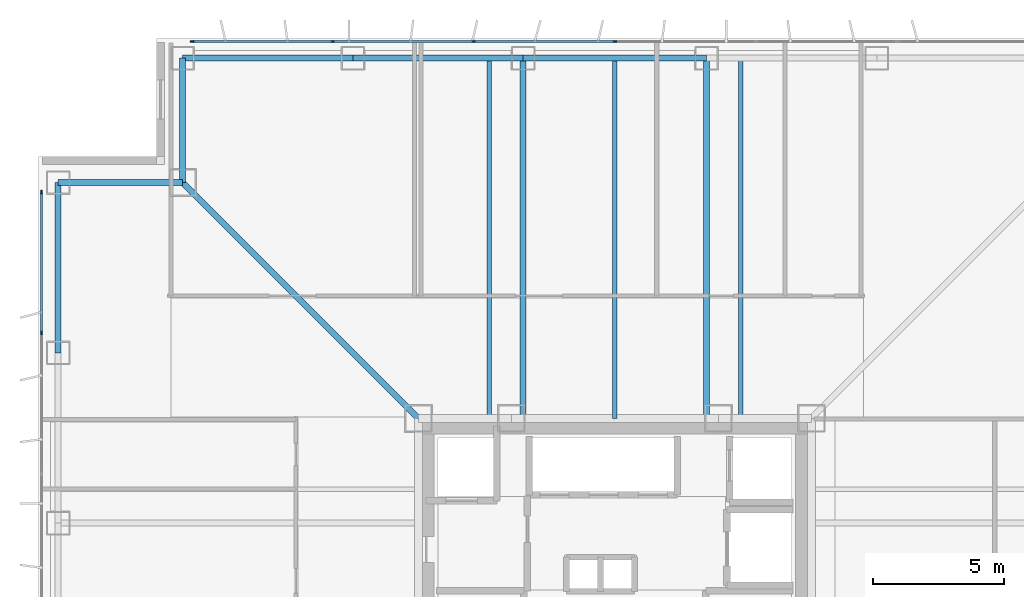
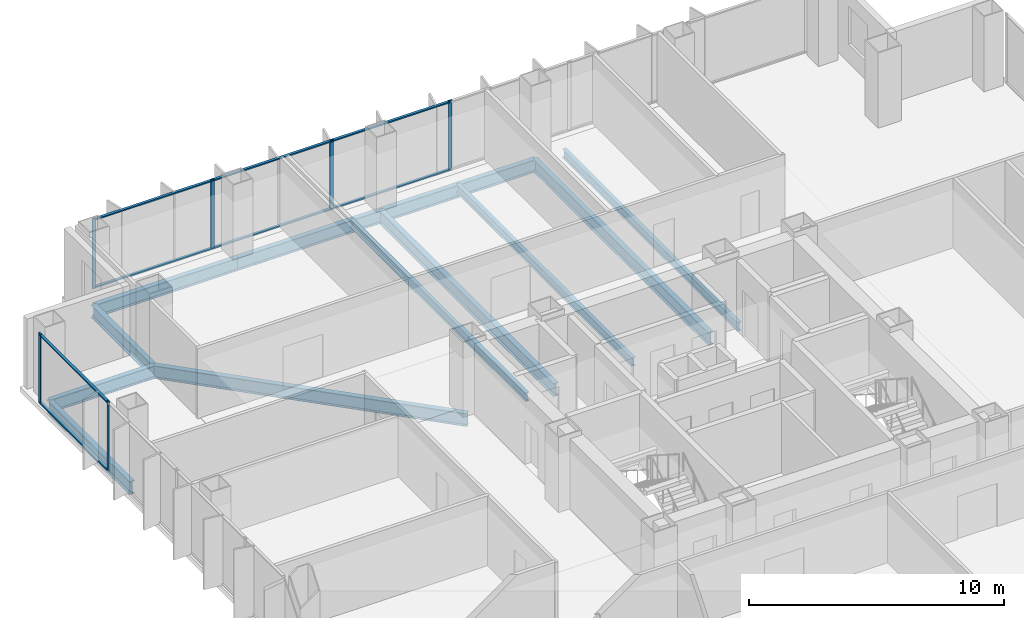
# One storey, part 7 of 14: 14 members, 12 beams, 2 elements without a shape of their own.
"""IFC4 building model written with IfcOpenShell, lengths in metres."""

from ifc_helpers import new_model, si_unit, direction, frame, origin, origin_2d, place, context, subcontext, project, spatial, rectangle, i_section, extrude, material, layer, layer_set, material_profile, profile_set, type_object, element, aggregate, save


model = new_model("IFC4")

# Units and contexts
model_context = context("Model", 3, precision=1e-05, world=origin(), true_north=direction((0.0, 1.0)))
body_context = subcontext(model_context, "Body", "Model", "MODEL_VIEW")
ifc_project = project(units=[si_unit("LENGTHUNIT", "METRE"), si_unit("AREAUNIT", "SQUARE_METRE"), si_unit("VOLUMEUNIT", "CUBIC_METRE"), si_unit("PLANEANGLEUNIT", "RADIAN"), si_unit("MASSUNIT", "GRAM", prefix="KILO")], contexts=[model_context])

# Site, building, storey
site_placement = place(None, origin())
site = spatial("IfcSite", under=ifc_project, at=site_placement, CompositionType="ELEMENT")
building_placement = place(site_placement, origin())
building = spatial("IfcBuilding", under=site, at=building_placement, Name="Trevonay Congress Spire", CompositionType="ELEMENT")
storey_placement = place(building_placement, frame((0.0, 0.0, 137.199951171875)))
storey = spatial("IfcBuildingStorey", under=building, at=storey_placement, Name="L35", CompositionType="ELEMENT", Elevation=137.199951171875)

# Beams
ifc_material_1 = material(Name="Steel ASTM A572 Grade 50", Category="steel")
ifc_material_profile_1 = material_profile(ifc_material_1, i_section(OverallWidth=0.22998046875, OverallDepth=0.616943359375, WebThickness=0.01318359375, FlangeThickness=0.022216796875, FilletRadius=0.01611328125, at=origin_2d()), Name="W610x140")
ifc_profile_set_1 = profile_set([ifc_material_profile_1], Name="Steel ASTM A572 Grade 50")
beam_type_1 = type_object("IfcBeamType", Name="BM-GIRD-W610X140", PredefinedType="BEAM", material=ifc_profile_set_1)
beam_1_placement = place(storey_placement, frame((-7.5, 7.5, -0.54833984375), z_axis=(-0.707106781187, 0.707106781187, 0.0), x_axis=(-0.707106781187, -0.707106781187, 0.0)))
element("IfcBeam", 1, at=beam_1_placement, inside=storey, type_object=beam_type_1, Name="L35 structural beam BM-L35-CDNW", PredefinedType="BEAM", context=body_context, shape_type="SweptSolid", body=[
    extrude(i_section(OverallWidth=0.22998046875, OverallDepth=0.616943359375, WebThickness=0.01318359375, FlangeThickness=0.022216796875, FilletRadius=0.01611328125, at=origin_2d()), origin(), (0.0, 0.0, 1.0), 12.72802734375),
])
for number, where, z_axis, x_axis, name in (
    (2, (-3.5, 7.5, -0.54833984375), (0.0, 1.0, 0.0), (-1.0, 0.0, 0.0), "L35 structural beam BM-L35-GN-M"),
    (3, (3.5, 7.5, -0.54833984375), (0.0, 1.0, 0.0), (-1.0, 0.0, 0.0), "L35 structural beam BM-L35-GN-P"),
):
    element("IfcBeam", number, at=place(storey_placement, frame(where, z_axis=z_axis, x_axis=x_axis)), inside=storey, type_object=beam_type_1, Name=name, PredefinedType="BEAM", context=body_context, shape_type="SweptSolid", body=[
        extrude(i_section(OverallWidth=0.22998046875, OverallDepth=0.616943359375, WebThickness=0.01318359375, FlangeThickness=0.022216796875, FilletRadius=0.01611328125, at=origin_2d()), origin(), (0.0, 0.0, 1.0), 13.75),
    ])
ifc_material_profile_2 = material_profile(ifc_material_1, i_section(OverallWidth=0.22802734375, OverallDepth=0.60791015625, WebThickness=0.01123046875, FlangeThickness=0.017333984375, FilletRadius=0.01611328125, at=origin_2d()), Name="W610x113")
ifc_profile_set_2 = profile_set([ifc_material_profile_2], Name="Steel ASTM A572 Grade 50")
beam_type_2 = type_object("IfcBeamType", Name="BM-RING-W610X113", PredefinedType="BEAM", material=ifc_profile_set_2)
for number, where, z_axis, x_axis, name in (
    (4, (-16.5, 21.25, -0.5439453125), (1.0, 0.0, 0.0), (0.0, 1.0, 0.0), "L35 structural beam BM-L35-PN1"),
    (5, (-10.0, 21.25, -0.5439453125), (1.0, 0.0, 0.0), (0.0, 1.0, 0.0), "L35 structural beam BM-L35-PN2"),
):
    element("IfcBeam", number, at=place(storey_placement, frame(where, z_axis=z_axis, x_axis=x_axis)), inside=storey, type_object=beam_type_2, Name=name, PredefinedType="BEAM", context=body_context, shape_type="SweptSolid", body=[
        extrude(i_section(OverallWidth=0.22802734375, OverallDepth=0.60791015625, WebThickness=0.01123046875, FlangeThickness=0.017333984375, FilletRadius=0.01611328125, at=origin_2d()), origin(), (0.0, 0.0, 1.0), 6.5),
    ])
beam_2_placement = place(storey_placement, frame((-3.5, 21.25, -0.5439453125), z_axis=(1.0, 0.0, 0.0), x_axis=(0.0, 1.0, 0.0)))
element("IfcBeam", 6, at=beam_2_placement, inside=storey, type_object=beam_type_2, Name="L35 structural beam BM-L35-PN3", PredefinedType="BEAM", context=body_context, shape_type="SweptSolid", body=[
    extrude(i_section(OverallWidth=0.22802734375, OverallDepth=0.60791015625, WebThickness=0.01123046875, FlangeThickness=0.017333984375, FilletRadius=0.01611328125, at=origin_2d()), origin(), (0.0, 0.0, 1.0), 7.0),
])
beam_3_placement = place(storey_placement, frame((-21.25, 10.0, -0.5439453125), z_axis=(0.0, 1.0, 0.0), x_axis=(-1.0, 0.0, 0.0)))
element("IfcBeam", 7, at=beam_3_placement, inside=storey, type_object=beam_type_2, Name="L35 structural beam BM-L35-PW5", PredefinedType="BEAM", context=body_context, shape_type="SweptSolid", body=[
    extrude(i_section(OverallWidth=0.22802734375, OverallDepth=0.60791015625, WebThickness=0.01123046875, FlangeThickness=0.017333984375, FilletRadius=0.01611328125, at=origin_2d()), origin(), (0.0, 0.0, 1.0), 6.5),
])
for number, where, z_axis, x_axis, name in (
    (8, (-16.5, 21.25, -0.5439453125), (0.0, -1.0, 0.0), (1.0, 0.0, 0.0), "L35 structural beam BM-L35-N1NW"),
    (9, (-21.25, 16.5, -0.5439453125), (1.0, 0.0, 0.0), (0.0, 1.0, 0.0), "L35 structural beam BM-L35-N2NW"),
):
    element("IfcBeam", number, at=place(storey_placement, frame(where, z_axis=z_axis, x_axis=x_axis)), inside=storey, type_object=beam_type_2, Name=name, PredefinedType="BEAM", context=body_context, shape_type="SweptSolid", body=[
        extrude(i_section(OverallWidth=0.22802734375, OverallDepth=0.60791015625, WebThickness=0.01123046875, FlangeThickness=0.017333984375, FilletRadius=0.01611328125, at=origin_2d()), origin(), (0.0, 0.0, 1.0), 4.75),
    ])

# Curtain wall, members
ifc_material_2 = material(Name="Pale Anodised Aluminium EN AW-6063-T6", Category="aluminium")
ifc_layer = layer(ifc_material_2, 0.175048828125, Name="Pale Anodised Aluminium EN AW-6063-T6")
ifc_layer_set = layer_set([ifc_layer], Name="Pale Anodised Aluminium EN AW-6063-T6")
curtain_wall_type = type_object("IfcCurtainWallType", Name="CW-SYS03-CONGRESS-PALE-METAL", PredefinedType="NOTDEFINED", material=ifc_layer_set)
curtain_wall_1_placement = place(storey_placement, origin())
curtain_wall_1 = element("IfcCurtainWall", 10, at=curtain_wall_1_placement, inside=storey, type_object=curtain_wall_type, Name="L35 N unitised curtain wall", PredefinedType="NOTDEFINED")
ifc_material_profile_3 = material_profile(ifc_material_2, rectangle(XDim=0.06005859375, YDim=0.159912109375, at=origin_2d()), Name="CW-MULLION-160-ALUMINIUM")
ifc_profile_set_3 = profile_set([ifc_material_profile_3], Name="Pale Anodised Aluminium EN AW-6063-T6")
member_type_1 = type_object("IfcMemberType", Name="CW-MULLION-160-ALUMINIUM", PredefinedType="MULLION", material=ifc_profile_set_3)
member_1_placement = place(storey_placement, frame((-16.1201171875, 21.8798828125, 0.0), z_axis=(0.0, 0.0, 1.0), x_axis=(0.0, 1.0, 0.0)))
member_1 = element("IfcMember", 11, at=member_1_placement, type_object=member_type_1, Name="CW03 mullion 1", PredefinedType="MULLION", context=body_context, shape_type="SweptSolid", body=[
    extrude(rectangle(XDim=0.06005859375, YDim=0.159912109375, at=origin_2d()), origin(), (0.0, 0.0, 1.0), 3.360107421875),
])
member_2_placement = place(storey_placement, frame((-10.7666015625, 21.8798828125, 0.0), z_axis=(0.0, 0.0, 1.0), x_axis=(0.0, 1.0, 0.0)))
member_2 = element("IfcMember", 12, at=member_2_placement, type_object=member_type_1, Name="CW03 mullion 2", PredefinedType="MULLION", context=body_context, shape_type="SweptSolid", body=[
    extrude(rectangle(XDim=0.06005859375, YDim=0.159912109375, at=origin_2d()), origin(), (0.0, 0.0, 1.0), 3.360107421875),
])
member_3_placement = place(storey_placement, frame((-5.38330078125, 21.8798828125, 0.0), z_axis=(0.0, 0.0, 1.0), x_axis=(0.0, 1.0, 0.0)))
member_3 = element("IfcMember", 13, at=member_3_placement, type_object=member_type_1, Name="CW03 mullion 3", PredefinedType="MULLION", context=body_context, shape_type="SweptSolid", body=[
    extrude(rectangle(XDim=0.06005859375, YDim=0.159912109375, at=origin_2d()), origin(), (0.0, 0.0, 1.0), 3.360107421875),
])
member_4_placement = place(storey_placement, frame((0.0, 21.8798828125, 0.0), z_axis=(0.0, 0.0, 1.0), x_axis=(0.0, 1.0, 0.0)))
member_4 = element("IfcMember", 14, at=member_4_placement, type_object=member_type_1, Name="CW03 mullion 4", PredefinedType="MULLION", context=body_context, shape_type="SweptSolid", body=[
    extrude(rectangle(XDim=0.06005859375, YDim=0.159912109375, at=origin_2d()), origin(), (0.0, 0.0, 1.0), 3.360107421875),
])

curtain_wall_2_placement = place(storey_placement, origin())
curtain_wall_2 = element("IfcCurtainWall", 15, at=curtain_wall_2_placement, inside=storey, type_object=curtain_wall_type, Name="L35 W unitised curtain wall", PredefinedType="NOTDEFINED")
member_5_placement = place(storey_placement, frame((-21.8798828125, 10.7666015625, 0.0), z_axis=(0.0, 0.0, 1.0), x_axis=(-1.0, 0.0, 0.0)))
member_5 = element("IfcMember", 16, at=member_5_placement, type_object=member_type_1, Name="CW03 mullion 6", PredefinedType="MULLION", context=body_context, shape_type="SweptSolid", body=[
    extrude(rectangle(XDim=0.06005859375, YDim=0.159912109375, at=origin_2d()), origin(), (0.0, 0.0, 1.0), 3.360107421875),
])
member_6_placement = place(storey_placement, frame((-21.8798828125, 16.1201171875, 0.0), z_axis=(0.0, 0.0, 1.0), x_axis=(-1.0, 0.0, 0.0)))
member_6 = element("IfcMember", 17, at=member_6_placement, type_object=member_type_1, Name="CW03 mullion 7", PredefinedType="MULLION", context=body_context, shape_type="SweptSolid", body=[
    extrude(rectangle(XDim=0.06005859375, YDim=0.159912109375, at=origin_2d()), origin(), (0.0, 0.0, 1.0), 3.360107421875),
])

# Member
ifc_material_profile_4 = material_profile(ifc_material_2, rectangle(XDim=0.1201171875, YDim=0.06005859375, at=origin_2d()), Name="CW-TRANSOM-120-ALUMINIUM")
ifc_profile_set_4 = profile_set([ifc_material_profile_4], Name="Pale Anodised Aluminium EN AW-6063-T6")
member_type_2 = type_object("IfcMemberType", Name="CW-TRANSOM-120-ALUMINIUM", PredefinedType="USERDEFINED", material=ifc_profile_set_4)
member_7_placement = place(storey_placement, frame((-16.090087890625, 21.8798828125, 0.06005859375), z_axis=(1.0, 0.0, 0.0), x_axis=(0.0, 1.0, 0.0)))
member_7 = element("IfcMember", 18, at=member_7_placement, type_object=member_type_2, Name="CW03 transom 1.1", ObjectType="TRANSOM", PredefinedType="USERDEFINED", context=body_context, shape_type="SweptSolid", body=[
    extrude(rectangle(XDim=0.1201171875, YDim=0.06005859375, at=origin_2d()), origin(), (0.0, 0.0, 1.0), 5.29345703125),
])

member_8_placement = place(storey_placement, frame((-16.090087890625, 21.8798828125, 3.300048828125), z_axis=(1.0, 0.0, 0.0), x_axis=(0.0, 1.0, 0.0)))
member_8 = element("IfcMember", 19, at=member_8_placement, type_object=member_type_2, Name="CW03 transom 1.2", ObjectType="TRANSOM", PredefinedType="USERDEFINED", context=body_context, shape_type="SweptSolid", body=[
    extrude(rectangle(XDim=0.1201171875, YDim=0.06005859375, at=origin_2d()), origin(), (0.0, 0.0, 1.0), 5.29345703125),
])

member_9_placement = place(storey_placement, frame((-10.736572265625, 21.8798828125, 0.06005859375), z_axis=(1.0, 0.0, 0.0), x_axis=(0.0, 1.0, 0.0)))
member_9 = element("IfcMember", 20, at=member_9_placement, type_object=member_type_2, Name="CW03 transom 2.1", ObjectType="TRANSOM", PredefinedType="USERDEFINED", context=body_context, shape_type="SweptSolid", body=[
    extrude(rectangle(XDim=0.1201171875, YDim=0.06005859375, at=origin_2d()), origin(), (0.0, 0.0, 1.0), 5.3232421875),
])

member_10_placement = place(storey_placement, frame((-10.736572265625, 21.8798828125, 3.300048828125), z_axis=(1.0, 0.0, 0.0), x_axis=(0.0, 1.0, 0.0)))
member_10 = element("IfcMember", 21, at=member_10_placement, type_object=member_type_2, Name="CW03 transom 2.2", ObjectType="TRANSOM", PredefinedType="USERDEFINED", context=body_context, shape_type="SweptSolid", body=[
    extrude(rectangle(XDim=0.1201171875, YDim=0.06005859375, at=origin_2d()), origin(), (0.0, 0.0, 1.0), 5.3232421875),
])

member_11_placement = place(storey_placement, frame((-5.353271484375, 21.8798828125, 0.06005859375), z_axis=(1.0, 0.0, 0.0), x_axis=(0.0, 1.0, 0.0)))
member_11 = element("IfcMember", 22, at=member_11_placement, type_object=member_type_2, Name="CW03 transom 3.1", ObjectType="TRANSOM", PredefinedType="USERDEFINED", context=body_context, shape_type="SweptSolid", body=[
    extrude(rectangle(XDim=0.1201171875, YDim=0.06005859375, at=origin_2d()), origin(), (0.0, 0.0, 1.0), 5.3232421875),
])

member_12_placement = place(storey_placement, frame((-5.353271484375, 21.8798828125, 3.300048828125), z_axis=(1.0, 0.0, 0.0), x_axis=(0.0, 1.0, 0.0)))
member_12 = element("IfcMember", 23, at=member_12_placement, type_object=member_type_2, Name="CW03 transom 3.2", ObjectType="TRANSOM", PredefinedType="USERDEFINED", context=body_context, shape_type="SweptSolid", body=[
    extrude(rectangle(XDim=0.1201171875, YDim=0.06005859375, at=origin_2d()), origin(), (0.0, 0.0, 1.0), 5.3232421875),
])

aggregate(curtain_wall_1, [member_1, member_2, member_3, member_4, member_7, member_8, member_9, member_10, member_11, member_12])

member_13_placement = place(storey_placement, frame((-21.8798828125, 10.796630859375, 0.06005859375), z_axis=(0.0, 1.0, 0.0), x_axis=(-1.0, 0.0, 0.0)))
member_13 = element("IfcMember", 24, at=member_13_placement, type_object=member_type_2, Name="CW03 transom 6.1", ObjectType="TRANSOM", PredefinedType="USERDEFINED", context=body_context, shape_type="SweptSolid", body=[
    extrude(rectangle(XDim=0.1201171875, YDim=0.06005859375, at=origin_2d()), origin(), (0.0, 0.0, 1.0), 5.29345703125),
])

member_14_placement = place(storey_placement, frame((-21.8798828125, 10.796630859375, 3.300048828125), z_axis=(0.0, 1.0, 0.0), x_axis=(-1.0, 0.0, 0.0)))
member_14 = element("IfcMember", 25, at=member_14_placement, type_object=member_type_2, Name="CW03 transom 6.2", ObjectType="TRANSOM", PredefinedType="USERDEFINED", context=body_context, shape_type="SweptSolid", body=[
    extrude(rectangle(XDim=0.1201171875, YDim=0.06005859375, at=origin_2d()), origin(), (0.0, 0.0, 1.0), 5.29345703125),
])

aggregate(curtain_wall_2, [member_5, member_6, member_13, member_14])

# Beams
ifc_material_profile_5 = material_profile(ifc_material_1, i_section(OverallWidth=0.177978515625, OverallDepth=0.406982421875, WebThickness=0.0078125, FlangeThickness=0.0126953125, FilletRadius=0.012939453125, at=origin_2d()), Name="W410x60")
ifc_profile_set_5 = profile_set([ifc_material_profile_5], Name="Steel ASTM A572 Grade 50")
beam_type_3 = type_object("IfcBeamType", Name="JS-COMP-W410X60", PredefinedType="JOIST", material=ifc_profile_set_5)
for number, where, z_axis, x_axis, name in (
    (26, (-4.800048828125, 7.5, -0.443359375), (0.0, 1.0, 0.0), (-1.0, 0.0, 0.0), "L35 structural beam JS-L35-NS-N1"),
    (27, (0.0, 7.5, -0.443359375), (0.0, 1.0, 0.0), (-1.0, 0.0, 0.0), "L35 structural beam JS-L35-NS-N2"),
    (28, (4.800048828125, 7.5, -0.443359375), (0.0, 1.0, 0.0), (-1.0, 0.0, 0.0), "L35 structural beam JS-L35-NS-N3"),
):
    element("IfcBeam", number, at=place(storey_placement, frame(where, z_axis=z_axis, x_axis=x_axis)), inside=storey, type_object=beam_type_3, Name=name, PredefinedType="JOIST", context=body_context, shape_type="SweptSolid", body=[
        extrude(i_section(OverallWidth=0.177978515625, OverallDepth=0.406982421875, WebThickness=0.0078125, FlangeThickness=0.0126953125, FilletRadius=0.012939453125, at=origin_2d()), origin(), (0.0, 0.0, 1.0), 13.75),
    ])

save(model, "model.ifc")
